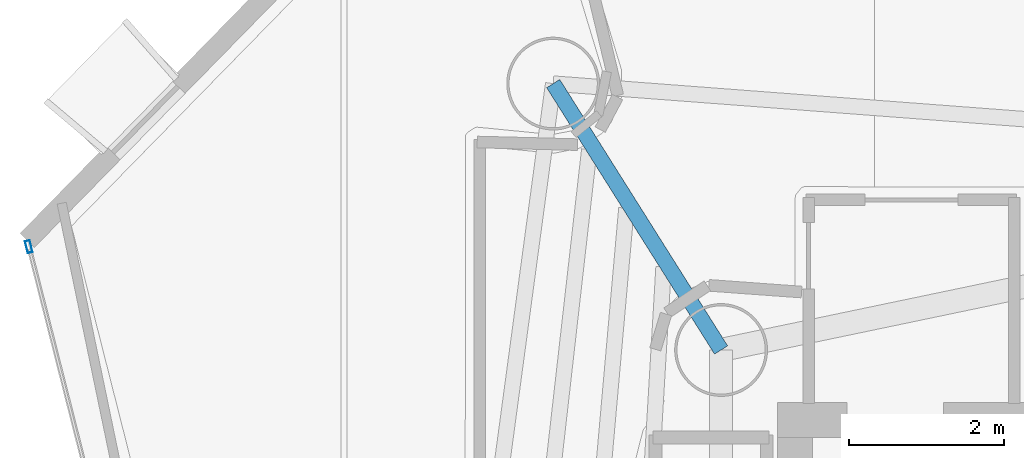
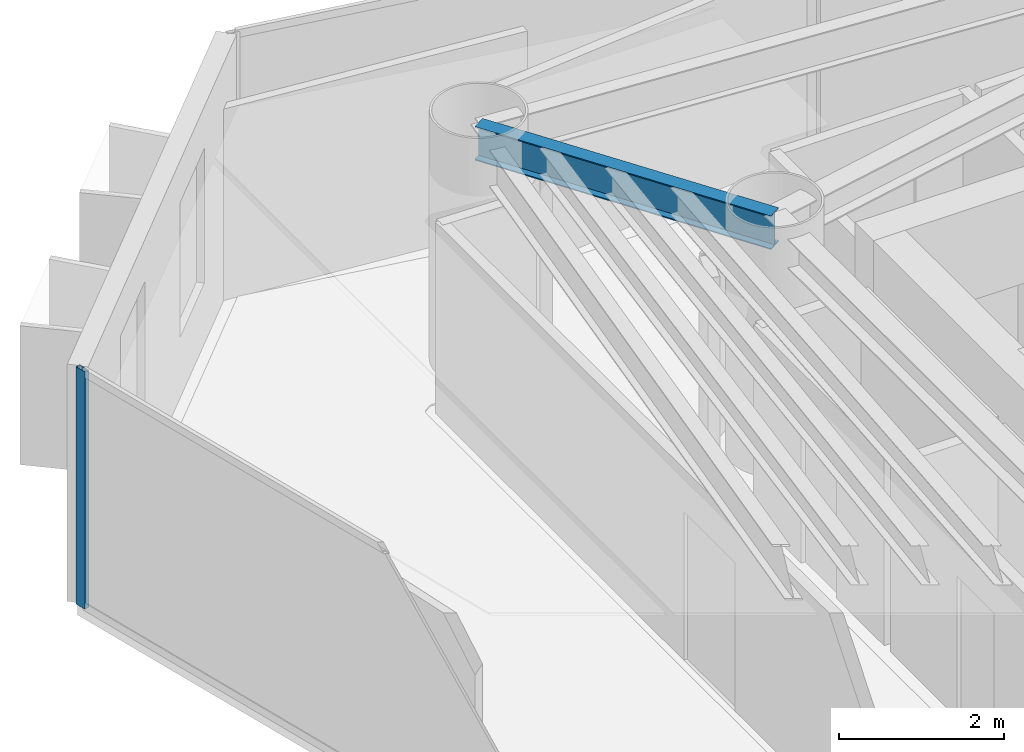
# One storey, part 9 of 22: 1 beam, 1 member, 1 element without a shape of its own.
"""IFC4 building model written with IfcOpenShell, lengths in metres."""

from ifc_helpers import new_model, si_unit, direction, frame, origin, origin_2d, place, context, subcontext, project, spatial, hollow_rectangle, i_section, extrude, material, layer, layer_set, material_profile, profile_set, type_object, element, aggregate, save


model = new_model("IFC4")

# Units and contexts
model_context = context("Model", 3, precision=1e-05, world=origin(), true_north=direction((0.0, 1.0)))
body_context = subcontext(model_context, "Body", "Model", "MODEL_VIEW")
ifc_project = project(units=[si_unit("LENGTHUNIT", "METRE"), si_unit("AREAUNIT", "SQUARE_METRE"), si_unit("VOLUMEUNIT", "CUBIC_METRE"), si_unit("PLANEANGLEUNIT", "RADIAN"), si_unit("MASSUNIT", "GRAM", prefix="KILO")], contexts=[model_context])

# Site, building, storey
site_placement = place(None, origin())
site = spatial("IfcSite", under=ifc_project, at=site_placement, CompositionType="ELEMENT")
building_placement = place(site_placement, origin())
building = spatial("IfcBuilding", under=site, at=building_placement, Name="Qianvela Tower", CompositionType="ELEMENT")
storey_placement = place(building_placement, frame((0.0, 0.0, 207.699951171875)))
storey = spatial("IfcBuildingStorey", under=building, at=storey_placement, Name="L53", CompositionType="ELEMENT", Elevation=207.699951171875)

# Beam
ifc_material_1 = material(Name="Steel Q355B", Category="steel")
ifc_material_profile_1 = material_profile(ifc_material_1, i_section(OverallWidth=0.199951171875, OverallDepth=0.5, WebThickness=0.010009765625, FlangeThickness=0.01611328125, at=origin_2d()), Name="HN500x200x10x16")
ifc_profile_set_1 = profile_set([ifc_material_profile_1], Name="Steel Q355B")
beam_type = type_object("IfcBeamType", Name="BM-HN500-GIRD", PredefinedType="BEAM", material=ifc_profile_set_1)
beam_placement = place(storey_placement, frame((28.60009765625, 33.550048828125, 3.26806640625), z_axis=(-0.533177693809, 0.846003278258, 0.0), x_axis=(-0.846003278258, -0.533177693809, 0.0)))
element("IfcBeam", 1, at=beam_placement, inside=storey, type_object=beam_type, Name="L53 Radial Primary Floor Girder 3", PredefinedType="BEAM", context=body_context, shape_type="SweptSolid", body=[
    extrude(i_section(OverallWidth=0.199951171875, OverallDepth=0.5, WebThickness=0.010009765625, FlangeThickness=0.01611328125, at=origin_2d()), origin(), (0.0, 0.0, 1.0), 4.068359375),
])

# Curtain wall, member
ifc_material_2 = material(Name="Anodised Architectural Aluminium and Low-E Glass", Category="aluminium")
ifc_layer = layer(ifc_material_2, 0.159912109375)
ifc_layer_set = layer_set([ifc_layer], Name="Anodised Architectural Aluminium and Low-E Glass")
curtain_wall_type = type_object("IfcCurtainWallType", Name="CW-COLIV-Z56", PredefinedType="USERDEFINED", material=ifc_layer_set)
curtain_wall_placement = place(storey_placement, origin())
curtain_wall = element("IfcCurtainWall", 2, at=curtain_wall_placement, inside=storey, type_object=curtain_wall_type, Name="L53 CW-COLIV-Z56 Curtain Wall 04A", ObjectType="CURTAIN_WALL_SYSTEM", PredefinedType="USERDEFINED")
ifc_material_3 = material(Name="Anodised Architectural Aluminium 6063-T6", Category="aluminium")
ifc_material_profile_2 = material_profile(ifc_material_3, hollow_rectangle(XDim=0.06494140625, YDim=0.159912109375, WallThickness=0.0048828125, at=origin_2d()), Name="ALU-MULL-65x160")
ifc_profile_set_2 = profile_set([ifc_material_profile_2], Name="Anodised Architectural Aluminium 6063-T6")
member_type = type_object("IfcMemberType", Name="CW-COLIV-Z56-MULL", PredefinedType="MULLION", material=ifc_profile_set_2)
member_placement = place(storey_placement, frame((19.654541015625, 34.885498046875, 0.0), z_axis=(0.0, 0.0, 1.0), x_axis=(0.969273337569, 0.245986172536, 0.0)))
member = element("IfcMember", 3, at=member_placement, type_object=member_type, Name="CW-5 mullion 1", PredefinedType="MULLION", context=body_context, shape_type="SweptSolid", body=[
    extrude(hollow_rectangle(XDim=0.06494140625, YDim=0.159912109375, WallThickness=0.0048828125, at=origin_2d()), origin(), (0.0, 0.0, 1.0), 3.52001953125),
])
aggregate(curtain_wall, [member])

save(model, "model.ifc")
